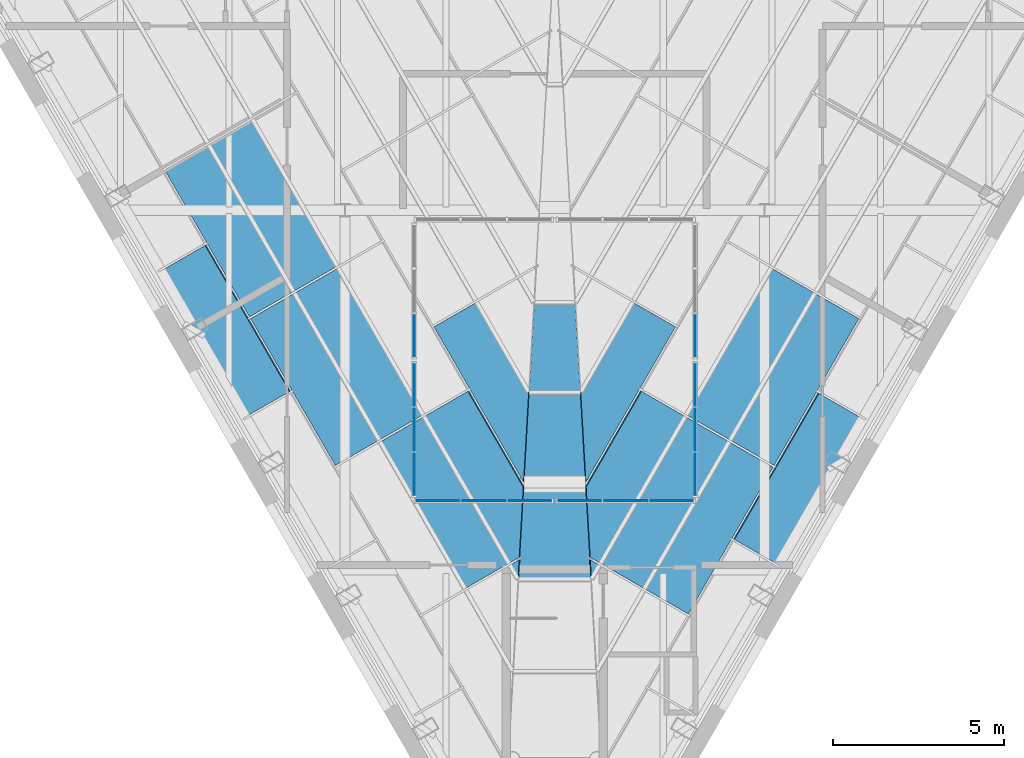
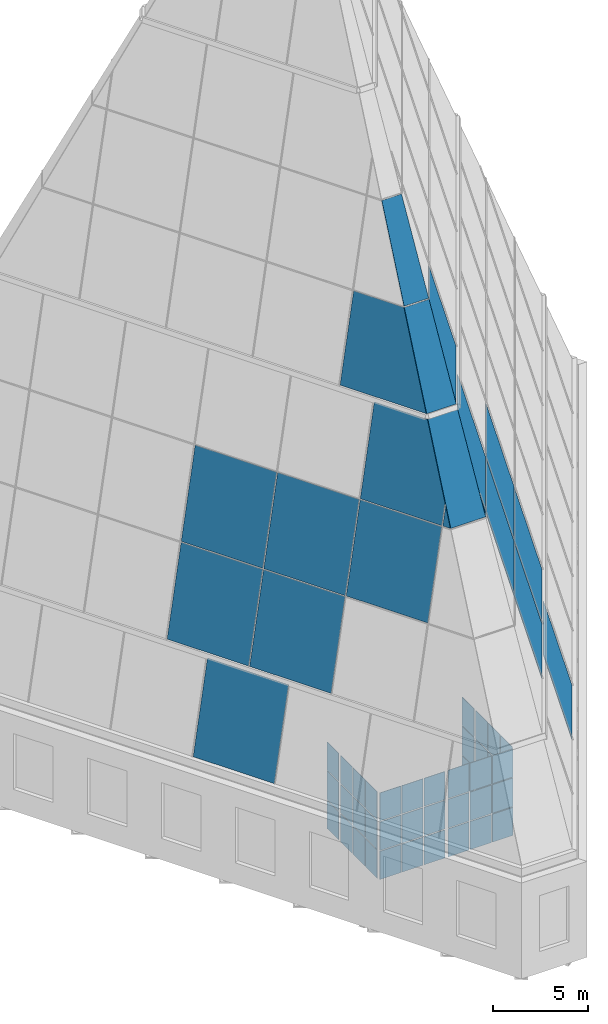
# One storey, part 25 of 36: 62 plates, 14 elements without a shape of their own.
"""IFC4 building model written with IfcOpenShell, lengths in metres."""

import ifcopenshell
import ifcopenshell.guid

model = None  # the IFC model being written
_history = None  # IfcOwnerHistory: only IFC2X3 demands one
_inside = {}  # id of a spatial element -> (the spatial element, [elements in it])
_under = {}  # id of a project, library or spatial element -> (it, [spatial elements below it])
_declared = {}  # id of a project -> (the project, [libraries it declares])
_typed = {}  # id of a type object -> (the type object, [elements of that type])
_made_of = {}  # id of a material, layer set ... -> (it, [elements and type objects made of it])


def new_model(schema):
    """Start an empty IFC model of exactly this schema.

    Asked for "IFC4X3", IfcOpenShell would pick the latest addendum, in which some entities
    have other attributes; the version numbers below select the first issue.
    IFC2X3 requires an IfcOwnerHistory on every rooted entity: one is made here for all.
    """
    global model, _history
    if schema == "IFC4X3":
        model = ifcopenshell.file(schema_version=(4, 3, 0, 0))
    else:
        model = ifcopenshell.file(schema=schema)
    _inside.clear()
    _under.clear()
    _declared.clear()
    _typed.clear()
    _made_of.clear()
    _history = None
    if model.schema == "IFC2X3":
        org = make("IfcOrganization", Name="unknown")
        user = make(
            "IfcPersonAndOrganization",
            ThePerson=make("IfcPerson", FamilyName="unknown"),
            TheOrganization=org,
        )
        app = make(
            "IfcApplication",
            ApplicationDeveloper=org,
            Version="unknown",
            ApplicationFullName="unknown",
            ApplicationIdentifier="unknown",
        )
        _history = make(
            "IfcOwnerHistory",
            OwningUser=user,
            OwningApplication=app,
            ChangeAction="ADDED",
            CreationDate=0,
        )
    return model


def make(cls, **values):
    """One entity of the class cls with the attributes given. An attribute that is None is left unset."""
    return model.create_entity(
        cls, **{name: value for name, value in values.items() if value is not None}
    )


def rooted(cls, **values):
    """An entity with a GlobalId (a new one), such as an element, a storey or a relation."""
    return make(cls, GlobalId=ifcopenshell.guid.new(), OwnerHistory=_history, **values)


def si_unit(unit_type, name, prefix=None):
    """IfcSIUnit, for example si_unit("LENGTHUNIT", "METRE", prefix="MILLI")."""
    return make("IfcSIUnit", UnitType=unit_type, Prefix=prefix, Name=name)


def assignment(units):
    """IfcUnitAssignment: the units of a project."""
    return None if units is None else make("IfcUnitAssignment", Units=units)


def point(xyz):
    """IfcCartesianPoint."""
    return None if xyz is None else make("IfcCartesianPoint", Coordinates=xyz)


def direction(xyz):
    """IfcDirection."""
    return None if xyz is None else make("IfcDirection", DirectionRatios=xyz)


def frame(location, z_axis=None, x_axis=None):
    """IfcAxis2Placement3D, a coordinate frame: its origin and axes. An axis left out is left unset."""
    return make(
        "IfcAxis2Placement3D",
        Location=point(location),
        Axis=direction(z_axis),
        RefDirection=direction(x_axis),
    )


def frame_2d(location, x_axis=None):
    """IfcAxis2Placement2D, a coordinate frame in the plane: its origin and x axis."""
    return make(
        "IfcAxis2Placement2D", Location=point(location), RefDirection=direction(x_axis)
    )


def origin():
    """The frame at (0, 0, 0) with its axes left unset."""
    return frame((0.0, 0.0, 0.0))


def origin_2d():
    """The frame at (0, 0) in the plane with its x axis left unset."""
    return frame_2d((0.0, 0.0))


def place(relative_to, where):
    """IfcLocalPlacement: puts the frame where relative to a parent placement (None: the world)."""
    return make(
        "IfcLocalPlacement", PlacementRelTo=relative_to, RelativePlacement=where
    )


def context(
    kind, dimensions, precision=None, world=None, true_north=None, identifier=None
):
    """IfcGeometricRepresentationContext, for example the 3D "Model" context."""
    return make(
        "IfcGeometricRepresentationContext",
        ContextIdentifier=identifier,
        ContextType=kind,
        CoordinateSpaceDimension=dimensions,
        Precision=precision,
        WorldCoordinateSystem=world,
        TrueNorth=true_north,
    )


def subcontext(parent, identifier, kind, view, scale=None):
    """IfcGeometricRepresentationSubContext, for example "Body" below "Model"."""
    return make(
        "IfcGeometricRepresentationSubContext",
        ContextIdentifier=identifier,
        ContextType=kind,
        ParentContext=parent,
        TargetScale=scale,
        TargetView=view,
    )


def project(units=None, contexts=None):
    """IfcProject with its units and contexts."""
    return rooted(
        "IfcProject",
        Name="project",
        RepresentationContexts=contexts,
        UnitsInContext=assignment(units),
    )


def spatial(cls, under=None, at=None, **own):
    """A site, building, storey or space (cls), placed at a placement, below another one or the project."""
    s = rooted(cls, ObjectPlacement=at, **own)
    if under is not None:
        _under.setdefault(under.id(), (under, []))[1].append(s)
    return s


def polyline(points):
    """IfcPolyline through the points."""
    return make("IfcPolyline", Points=[point(p) for p in points])


def profile(cls, at=None, kind="AREA", **sizes):
    """A parametric profile (cls). Its sizes go by their IFC names, for example OverallWidth=200.0."""
    return make(cls, ProfileType=kind, Position=at, **sizes)


def rectangle(**sizes):
    """IfcRectangleProfileDef."""
    return profile("IfcRectangleProfileDef", **sizes)


def outline(outer, holes=None, kind="AREA"):
    """IfcArbitraryClosedProfileDef: a profile drawn as a closed curve; with holes, ...WithVoids."""
    if holes is None:
        return make("IfcArbitraryClosedProfileDef", ProfileType=kind, OuterCurve=outer)
    return make(
        "IfcArbitraryProfileDefWithVoids",
        ProfileType=kind,
        OuterCurve=outer,
        InnerCurves=holes,
    )


def extrude(swept, where, along, depth):
    """IfcExtrudedAreaSolid: the profile swept, set in the frame where, extruded along a direction by depth."""
    return make(
        "IfcExtrudedAreaSolid",
        SweptArea=swept,
        Position=where,
        ExtrudedDirection=direction(along),
        Depth=depth,
    )


def shape(context_of_items, identifier, shape_type, items):
    """IfcShapeRepresentation: the items that make up one representation, for example the "Body"."""
    return make(
        "IfcShapeRepresentation",
        ContextOfItems=context_of_items,
        RepresentationIdentifier=identifier,
        RepresentationType=shape_type,
        Items=items,
    )


def material(Name=None, Category=None):
    """IfcMaterial."""
    return make("IfcMaterial", Name=Name, Category=Category)


def layer(
    of_material, thickness, ventilated=None, Name=None, Category=None, Priority=None
):
    """IfcMaterialLayer: one layer of a wall or slab, of a material (None: an air gap)."""
    return make(
        "IfcMaterialLayer",
        Material=of_material,
        LayerThickness=thickness,
        IsVentilated=ventilated,
        Name=Name,
        Category=Category,
        Priority=Priority,
    )


def layer_set(layers, Name=None):
    """IfcMaterialLayerSet."""
    return make("IfcMaterialLayerSet", MaterialLayers=layers, LayerSetName=Name)


def made_of(thing, what):
    """Note that an element or type object is made of a material, layer set ...; save() writes the relation."""
    if what is not None:
        _made_of.setdefault(what.id(), (what, []))[1].append(thing)
    return thing


def type_object(cls, material=None, **own):
    """A type object (cls), such as IfcWallType, which elements share."""
    return made_of(rooted(cls, **own), material)


def element(
    cls,
    number,
    at=None,
    inside=None,
    cuts=None,
    type_object=None,
    material=None,
    context=None,
    identifier="Body",
    shape_type=None,
    held_by="IfcProductDefinitionShape",
    body=None,
    shapes=None,
    **own,
):
    """One element of the class cls, such as IfcWall. Its Tag is "e" and its number.

    at: its placement. inside: the storey or other place that contains it. cuts: it is an
    opening in that element (IfcRelVoidsElement). A single representation is given by context,
    identifier, shape_type and body (its items); several are given by shapes. held_by: the class
    of the entity that holds the representations. save() writes the other relations.
    """
    e = rooted(cls, Tag="e%d" % number, ObjectPlacement=at, **own)
    if body is not None:
        shapes = [shape(context, identifier, shape_type, body)]
    if shapes is not None:
        e.Representation = make(held_by, Representations=shapes)
    if inside is not None:
        _inside.setdefault(inside.id(), (inside, []))[1].append(e)
    if cuts is not None:
        rooted(
            "IfcRelVoidsElement", RelatingBuildingElement=cuts, RelatedOpeningElement=e
        )
    if type_object is not None:
        _typed.setdefault(type_object.id(), (type_object, []))[1].append(e)
    return made_of(e, material)


def aggregate(whole, parts):
    """IfcRelAggregates: a whole, such as a stair, and the parts it consists of."""
    return rooted("IfcRelAggregates", RelatingObject=whole, RelatedObjects=parts)


def save(model, path):
    """Write the relations noted so far, then the file.

    IfcRelAggregates (storeys below a building ...), IfcRelContainedInSpatialStructure (elements
    in a storey), IfcRelDefinesByType, IfcRelAssociatesMaterial and IfcRelDeclares: one each for
    every whole, place, type object, material and project.
    """
    for whole, parts in _under.values():
        aggregate(whole, parts)
    for where, things in _inside.values():
        rooted(
            "IfcRelContainedInSpatialStructure",
            RelatedElements=things,
            RelatingStructure=where,
        )
    for kind, things in _typed.values():
        rooted("IfcRelDefinesByType", RelatedObjects=things, RelatingType=kind)
    for what, things in _made_of.values():
        rooted("IfcRelAssociatesMaterial", RelatedObjects=things, RelatingMaterial=what)
    for by, libraries in _declared.values():
        rooted("IfcRelDeclares", RelatingContext=by, RelatedDefinitions=libraries)
    model.write(path)


model = new_model("IFC4")

# Units and contexts
model_context = context("Model", 3, precision=1e-05, world=origin(), true_north=direction((0.0, 1.0)))
body_context = subcontext(model_context, "Body", "Model", "MODEL_VIEW")
ifc_project = project(units=[si_unit("LENGTHUNIT", "METRE"), si_unit("AREAUNIT", "SQUARE_METRE"), si_unit("VOLUMEUNIT", "CUBIC_METRE"), si_unit("PLANEANGLEUNIT", "RADIAN"), si_unit("MASSUNIT", "GRAM", prefix="KILO")], contexts=[model_context])

# Site, building, storey
site_placement = place(None, origin())
site = spatial("IfcSite", under=ifc_project, at=site_placement, CompositionType="ELEMENT")
building_placement = place(site_placement, origin())
building = spatial("IfcBuilding", under=site, at=building_placement, Name="Njiva Tower", CompositionType="ELEMENT")
storey_placement = place(building_placement, frame((0.0, 0.0, 337.8)))
storey = spatial("IfcBuildingStorey", under=building, at=storey_placement, Name="L77", CompositionType="ELEMENT", Elevation=337.8)

# Curtain wall, plate
ifc_material_1 = material(Name="Glazed curtain wall", Category="glass")
ifc_layer_1 = layer(ifc_material_1, 0.16)
ifc_layer_set_1 = layer_set([ifc_layer_1], Name="Glazed curtain wall")
curtain_wall_type_1 = type_object("IfcCurtainWallType", Name="CW2 Crown glazing, faceted point, long faces", PredefinedType="NOTDEFINED", material=ifc_layer_set_1)
curtain_wall_1_placement = place(storey_placement, origin())
curtain_wall_1 = element("IfcCurtainWall", 1, at=curtain_wall_1_placement, inside=storey, type_object=curtain_wall_type_1, Name="Crown glazing face SW tier 1", PredefinedType="NOTDEFINED")
ifc_material_2 = material(Name="Clear laminated glass", Category="glass")
ifc_layer_2 = layer(ifc_material_2, 0.032)
ifc_layer_set_2 = layer_set([ifc_layer_2], Name="Clear laminated glass")
plate_type_1 = type_object("IfcPlateType", Name="CW2-P Crown glass panel 32", PredefinedType="CURTAIN_PANEL", material=ifc_layer_set_2)
plate_1_placement = place(storey_placement, frame((-9.0792, -9.2706, 6.5043), z_axis=(-0.83472112985, -0.481929472764, 0.266429387761), x_axis=(0.230736106256, 0.133212116361, 0.963854439905)))
plate_1 = element("IfcPlate", 2, at=plate_1_placement, type_object=plate_type_1, Name="CW2-31 panel 6.1", PredefinedType="CURTAIN_PANEL", context=body_context, shape_type="SweptSolid", body=[
    extrude(outline(polyline([(0.0, 0.0), (5.659994801963874, -5.1953612852789766e-17), (5.6599649789226865, 4.948501867976681), (-6.749430562447145e-06, 4.948451867828215), (0.0, 0.0)])), origin(), (0.0, 0.0, -1.0), 0.032),
])
aggregate(curtain_wall_1, [plate_1])

# Curtain wall, plates
curtain_wall_2_placement = place(storey_placement, origin())
curtain_wall_2 = element("IfcCurtainWall", 3, at=curtain_wall_2_placement, inside=storey, type_object=curtain_wall_type_1, Name="Crown glazing face SW tier 2", PredefinedType="NOTDEFINED")
plate_2_placement = place(storey_placement, frame((-8.9456, -6.3262, 12.2488), z_axis=(-0.834718497556, -0.481930530985, 0.266435720471), x_axis=(0.230736804169, 0.133223572879, 0.963852689383)))
plate_2 = element("IfcPlate", 4, at=plate_2_placement, type_object=plate_type_1, Name="CW2-32 panel 5.1", PredefinedType="CURTAIN_PANEL", context=body_context, shape_type="SweptSolid", body=[
    extrude(outline(polyline([(0.0, 0.0), (5.541724870418865, -1.3629437747679496e-16), (5.5417443500182975, 4.969513530421253), (3.2801956720174275e-05, 4.969600132640793), (0.0, 0.0)])), origin(), (0.0, 0.0, -1.0), 0.032),
])
plate_3_placement = place(storey_placement, frame((-7.6531, -5.5799, 17.648), z_axis=(-0.834722496075, -0.481928740879, 0.266426431235), x_axis=(0.230733341185, 0.133210992542, 0.963855257148)))
plate_3 = element("IfcPlate", 5, at=plate_3_placement, type_object=plate_type_1, Name="CW2-32 panel 5.2", PredefinedType="CURTAIN_PANEL", context=body_context, shape_type="SweptSolid", body=[
    extrude(outline(polyline([(0.0, 0.0), (5.511708154307347, 1.3097162243624894e-16), (5.511705170067682, 4.969463530226295), (-2.6057573783266896e-05, 4.969513530274277), (0.0, 0.0)])), origin(), (0.0, 0.0, -1.0), 0.032),
])
plate_4_placement = place(storey_placement, frame((-6.4308, -10.6818, 12.2488), z_axis=(-0.83472301334, -0.481929039523, 0.266424270413), x_axis=(0.230730190592, 0.133212127882, 0.963855854438)))
plate_4 = element("IfcPlate", 6, at=plate_4_placement, type_object=plate_type_1, Name="CW2-32 panel 6.1", PredefinedType="CURTAIN_PANEL", context=body_context, shape_type="SweptSolid", body=[
    extrude(outline(polyline([(0.0, 0.0), (5.541688475388861, -9.940228097560753e-17), (5.541698205589711, 4.9694635302176655), (-1.334281820952743e-05, 4.969513530324681), (0.0, 0.0)])), origin(), (0.0, 0.0, -1.0), 0.032),
])
plate_5_placement = place(storey_placement, frame((-5.1383, -9.9356, 17.648), z_axis=(-0.834720043956, -0.481937022846, 0.266419132625), x_axis=(0.230727020437, 0.133207343245, 0.963857274572)))
plate_5 = element("IfcPlate", 7, at=plate_5_placement, type_object=plate_type_1, Name="CW2-32 panel 6.2", PredefinedType="CURTAIN_PANEL", context=body_context, shape_type="SweptSolid", body=[
    extrude(outline(polyline([(0.0, 0.0), (5.511708154465365, 6.852157730108388e-17), (5.51168209720762, 4.969513530449536), (-2.605725774440515e-05, 4.969513530449538), (0.0, 0.0)])), origin(), (0.0, 0.0, -1.0), 0.032),
])
plate_6_placement = place(storey_placement, frame((-2.6236, -14.2913, 17.648), z_axis=(-0.834729858119, -0.481917694678, 0.266423346426), x_axis=(0.230730669681, 0.133209450077, 0.963856109841)))
plate_6 = element("IfcPlate", 8, at=plate_6_placement, type_object=plate_type_1, Name="CW2-32 panel 7.2", PredefinedType="CURTAIN_PANEL", context=body_context, shape_type="SweptSolid", body=[
    extrude(outline(polyline([(0.0, 0.0), (5.511708154412695, 1.214306433183765e-17), (5.5117184906966585, 4.969550133494233), (-2.984661043980985e-06, 4.969463530343137), (0.0, 0.0)])), origin(), (0.0, 0.0, -1.0), 0.032),
])
plate_7_placement = place(storey_placement, frame((-2.5441, -8.5071, 28.3597), z_axis=(-0.834717621025, -0.481932371508, 0.266435137403), x_axis=(-0.230736299215, -0.133223281328, -0.963852850562)))
plate_7 = element("IfcPlate", 9, at=plate_7_placement, type_object=plate_type_1, Name="CW2-32 panel 7.3", PredefinedType="CURTAIN_PANEL", context=body_context, shape_type="SweptSolid", body=[
    extrude(outline(polyline([(0.0, 0.0), (5.541724870403274, -1.269871794523647e-16), (5.541744349967262, 4.96951353045996), (4.254612029945289, 4.969498664307257), (2.7465958485073383e-05, 3.242039525867482), (0.0, 0.0)])), origin(), (0.0, 0.0, -1.0), 0.032),
])
plate_8_placement = place(storey_placement, frame((-1.0451, -13.4493, 24.1165), z_axis=(-0.834769609638, -0.481862267805, 0.266399049718), x_axis=(-0.230740790914, -0.133143316781, -0.963862824579)))
plate_8 = element("IfcPlate", 10, at=plate_8_placement, type_object=plate_type_1, Name="CW2-32 panel 8.3", PredefinedType="CURTAIN_PANEL", context=body_context, shape_type="SweptSolid", body=[
    extrude(outline(polyline([(0.0, 0.0), (1.1393737490393219, -5.502326025363935e-18), (1.1393539311349525, 0.4626663804592351), (0.0, 0.0)])), origin(), (0.0, 0.0, -1.0), 0.032),
])
aggregate(curtain_wall_2, [plate_2, plate_3, plate_4, plate_5, plate_6, plate_7, plate_8])

# Curtain wall, plate
curtain_wall_3_placement = place(storey_placement, origin())
curtain_wall_3 = element("IfcCurtainWall", 11, at=curtain_wall_3_placement, inside=storey, type_object=curtain_wall_type_1, Name="Crown glazing face SW tier 3", PredefinedType="NOTDEFINED")
plate_9_placement = place(storey_placement, frame((-0.7651, -8.5494, 33.8569), z_axis=(-0.834718757124, -0.481932836688, 0.266430736642), x_axis=(-0.500005506255, 0.866022224721, 2.149373e-06)))
plate_9 = element("IfcPlate", 12, at=plate_9_placement, type_object=plate_type_1, Name="CW2-33 panel 5.1", PredefinedType="CURTAIN_PANEL", context=body_context, shape_type="SweptSolid", body=[
    extrude(outline(polyline([(0.0, 0.0), (3.059607512311141, 0.0), (3.059640386007793, 5.403418167078141), (-2.1940519964073673, 5.403399628608977), (0.0, 0.0)])), origin(), (0.0, 0.0, -1.0), 0.032),
])
aggregate(curtain_wall_3, [plate_9])

curtain_wall_4_placement = place(storey_placement, origin())
curtain_wall_4 = element("IfcCurtainWall", 13, at=curtain_wall_4_placement, inside=storey, type_object=curtain_wall_type_1, Name="Crown glazing face SE tier 1", PredefinedType="NOTDEFINED")
plate_10_placement = place(storey_placement, frame((9.0492, -9.3226, 6.5043), z_axis=(0.83472112985, -0.481929472764, 0.266429387761), x_axis=(-0.230736106256, 0.133212116361, 0.963854439905)))
plate_10 = element("IfcPlate", 14, at=plate_10_placement, type_object=plate_type_1, Name="CW2-51 panel 3.1", PredefinedType="CURTAIN_PANEL", context=body_context, shape_type="SweptSolid", body=[
    extrude(outline(polyline([(0.0, 0.0), (5.659994801963874, -5.5030036517217384e-17), (5.660001551394437, 4.948451867828216), (2.982304118859247e-05, 4.948501867976681), (0.0, 0.0)])), origin(), (0.0, 0.0, -1.0), 0.032),
])
aggregate(curtain_wall_4, [plate_10])

# Curtain wall, plates
curtain_wall_5_placement = place(storey_placement, origin())
curtain_wall_5 = element("IfcCurtainWall", 15, at=curtain_wall_5_placement, inside=storey, type_object=curtain_wall_type_1, Name="Crown glazing face SE tier 2", PredefinedType="NOTDEFINED")
plate_11_placement = place(storey_placement, frame((1.0767, -14.0017, 23.0183), z_axis=(0.834769609638, -0.481862267805, 0.266399049718), x_axis=(0.499928262689, 0.866066817379, 0.0)))
plate_11 = element("IfcPlate", 16, at=plate_11_placement, type_object=plate_type_1, Name="CW2-52 panel 1.3", PredefinedType="CURTAIN_PANEL", context=body_context, shape_type="SweptSolid", body=[
    extrude(outline(polyline([(0.0, 0.0), (0.46266638088367634, 1.3877787807814457e-17), (0.46261757681894955, 1.1393737479940824), (0.0, 0.0)])), origin(), (0.0, 0.0, -1.0), 0.032),
])
plate_12_placement = place(storey_placement, frame((6.4008, -10.7338, 12.2488), z_axis=(0.83472301334, -0.481929039523, 0.266424270413), x_axis=(-0.230730190592, 0.133212127882, 0.963855854438)))
plate_12 = element("IfcPlate", 17, at=plate_12_placement, type_object=plate_type_1, Name="CW2-52 panel 2.1", PredefinedType="CURTAIN_PANEL", context=body_context, shape_type="SweptSolid", body=[
    extrude(outline(polyline([(0.0, 0.0), (5.5416884753888604, 6.217094777904476e-17), (5.541701818207071, 4.969513530324681), (-9.730200849267234e-06, 4.969463530217665), (0.0, 0.0)])), origin(), (0.0, 0.0, -1.0), 0.032),
])
plate_13_placement = place(storey_placement, frame((5.1083, -9.9876, 17.648), z_axis=(0.834729858119, -0.481917694678, 0.266423346426), x_axis=(-0.230722813548, 0.133223057616, 0.963856109711)))
plate_13 = element("IfcPlate", 18, at=plate_13_placement, type_object=plate_type_1, Name="CW2-52 panel 2.2", PredefinedType="CURTAIN_PANEL", context=body_context, shape_type="SweptSolid", body=[
    extrude(outline(polyline([(0.0, 0.0), (5.51172147603808, -1.3097162243624894e-16), (5.511633055492609, 4.969550132718374), (-7.509823970874852e-05, 4.9694635297765934), (0.0, 0.0)])), origin(), (0.0, 0.0, -1.0), 0.032),
])
plate_14_placement = place(storey_placement, frame((1.041, -13.3776, 24.2589), z_axis=(0.834717621025, -0.481932371508, 0.266435137403), x_axis=(0.230730524203, -0.133233283713, -0.963852850446)))
plate_14 = element("IfcPlate", 19, at=plate_14_placement, type_object=plate_type_1, Name="CW2-52 panel 2.3", PredefinedType="CURTAIN_PANEL", context=body_context, shape_type="SweptSolid", body=[
    extrude(outline(polyline([(0.0, 0.0), (1.2871323201078242, 2.5522796766666578e-17), (1.2870554435335617, 4.969513529903511), (-4.254669426500083, 4.96944952395255), (-4.254604515553305, 1.7274099986185365), (0.0, 0.0)])), origin(), (0.0, 0.0, -1.0), 0.032),
])
plate_15_placement = place(storey_placement, frame((8.9156, -6.3781, 12.2488), z_axis=(0.83472301334, -0.481929039523, 0.266424270413), x_axis=(-0.230734701843, 0.133204314165, 0.963855854396)))
plate_15 = element("IfcPlate", 20, at=plate_15_placement, type_object=plate_type_1, Name="CW2-52 panel 3.1", PredefinedType="CURTAIN_PANEL", context=body_context, shape_type="SweptSolid", body=[
    extrude(outline(polyline([(0.0, 0.0), (5.541711548633483, -7.041215483935548e-17), (5.5417466554304, 4.969463530103185), (5.8180267100249594e-05, 4.969513530002022), (0.0, 0.0)])), origin(), (0.0, 0.0, -1.0), 0.032),
])
plate_16_placement = place(storey_placement, frame((7.6231, -5.6319, 17.648), z_axis=(0.834720043956, -0.481937022846, 0.266419132625), x_axis=(-0.230727020437, 0.133207343245, 0.963857274572)))
plate_16 = element("IfcPlate", 21, at=plate_16_placement, type_object=plate_type_1, Name="CW2-52 panel 3.2", PredefinedType="CURTAIN_PANEL", context=body_context, shape_type="SweptSolid", body=[
    extrude(outline(polyline([(0.0, 0.0), (5.511708154465365, -4.85722573273506e-17), (5.511734211723112, 4.969513530449536), (2.605725774584844e-05, 4.969513530449537), (0.0, 0.0)])), origin(), (0.0, 0.0, -1.0), 0.032),
])
aggregate(curtain_wall_5, [plate_11, plate_12, plate_13, plate_14, plate_15, plate_16])

# Curtain wall, plate
curtain_wall_6_placement = place(storey_placement, origin())
curtain_wall_6 = element("IfcCurtainWall", 22, at=curtain_wall_6_placement, inside=storey, type_object=curtain_wall_type_1, Name="Crown glazing face SE tier 3", PredefinedType="NOTDEFINED")
plate_17_placement = place(storey_placement, frame((3.5417, -6.6195, 28.6488), z_axis=(0.834718757124, -0.481932836688, 0.266430736642), x_axis=(-0.230739017098, 0.133209772465, 0.963854067019)))
plate_17 = element("IfcPlate", 23, at=plate_17_placement, type_object=plate_type_1, Name="CW2-53 panel 1.1", PredefinedType="CURTAIN_PANEL", context=body_context, shape_type="SweptSolid", body=[
    extrude(outline(polyline([(0.0, 0.0), (5.403418167178141, 4.737285867403851e-17), (5.403436781434178, 3.0596075122545168), (5.050125352501489e-05, 5.253692382205146), (0.0, 0.0)])), origin(), (0.0, 0.0, -1.0), 0.032),
])
aggregate(curtain_wall_6, [plate_17])

ifc_layer_3 = layer(ifc_material_1, 0.16)
ifc_layer_set_3 = layer_set([ifc_layer_3], Name="Glazed curtain wall")
curtain_wall_type_2 = type_object("IfcCurtainWallType", Name="CW3 Crown glazing, faceted point, corner faces", PredefinedType="NOTDEFINED", material=ifc_layer_set_3)
curtain_wall_7_placement = place(storey_placement, origin())
curtain_wall_7 = element("IfcCurtainWall", 24, at=curtain_wall_7_placement, inside=storey, type_object=curtain_wall_type_2, Name="Crown glazing face S tier 2", PredefinedType="NOTDEFINED")
ifc_layer_4 = layer(ifc_material_2, 0.032)
ifc_layer_set_4 = layer_set([ifc_layer_4], Name="Clear laminated glass")
plate_type_2 = type_object("IfcPlateType", Name="CW3-P Crown corner glass panel 32", PredefinedType="CURTAIN_PANEL", material=ifc_layer_set_4)
plate_18_placement = place(storey_placement, frame((-1.0633, -14.0254, 23.0316), z_axis=(0.0, -0.893342664961, 0.449376104127), x_axis=(1.0, 0.0, 0.0)))
plate_18 = element("IfcPlate", 25, at=plate_18_placement, type_object=plate_type_2, Name="CW3-42 panel 1.3", PredefinedType="CURTAIN_PANEL", context=body_context, shape_type="SweptSolid", body=[
    extrude(outline(polyline([(0.0, 0.0), (2.1266, 0.0), (1.9727999999999999, 5.98941504739824), (0.15379999999999994, 5.98941504739824), (0.0, 0.0)])), origin(), (0.0, 0.0, -1.0), 0.032),
])
aggregate(curtain_wall_7, [plate_18])

# Curtain wall, plates
curtain_wall_8_placement = place(storey_placement, origin())
curtain_wall_8 = element("IfcCurtainWall", 26, at=curtain_wall_8_placement, inside=storey, type_object=curtain_wall_type_2, Name="Crown glazing face S tier 3", PredefinedType="NOTDEFINED")
plate_19_placement = place(storey_placement, frame((0.7518, -8.5746, 33.8674), z_axis=(0.0, -0.893335523185, 0.449390301426), x_axis=(-1.0, 0.0, 0.0)))
plate_19 = element("IfcPlate", 27, at=plate_19_placement, type_object=plate_type_2, Name="CW3-43 panel 1.1", PredefinedType="CURTAIN_PANEL", context=body_context, shape_type="SweptSolid", body=[
    extrude(outline(polyline([(0.0, 0.0), (1.5036, 0.0), (1.6536, 5.840134937653403), (-0.15000000000000002, 5.840134937653403), (0.0, 0.0)])), origin(), (0.0, 0.0, -1.0), 0.032),
])
plate_20_placement = place(storey_placement, frame((0.601, -5.9366, 39.1114), z_axis=(0.0, -0.893336789296, 0.449387784535), x_axis=(-1.0, 0.0, 0.0)))
plate_20 = element("IfcPlate", 28, at=plate_20_placement, type_object=plate_type_2, Name="CW3-43 panel 1.2", PredefinedType="CURTAIN_PANEL", context=body_context, shape_type="SweptSolid", body=[
    extrude(outline(polyline([(0.0, 0.0), (1.202, 0.0), (1.3512, 5.810126776585869), (-0.1492, 5.810126776585869), (0.0, 0.0)])), origin(), (0.0, 0.0, -1.0), 0.032),
])
aggregate(curtain_wall_8, [plate_19, plate_20])

ifc_layer_5 = layer(ifc_material_1, 0.2)
ifc_layer_set_5 = layer_set([ifc_layer_5], Name="Glazed curtain wall")
curtain_wall_type_3 = type_object("IfcCurtainWallType", Name="CW5 Atrium lantern glazing", PredefinedType="NOTDEFINED", material=ifc_layer_set_5)
curtain_wall_9_placement = place(storey_placement, origin())
curtain_wall_9 = element("IfcCurtainWall", 29, at=curtain_wall_9_placement, inside=storey, type_object=curtain_wall_type_3, Name="Atrium lantern south 1", PredefinedType="NOTDEFINED")
ifc_layer_6 = layer(ifc_material_2, 0.028)
ifc_layer_set_6 = layer_set([ifc_layer_6], Name="Clear laminated glass")
plate_type_3 = type_object("IfcPlateType", Name="CW5-P Lantern glass panel 28", PredefinedType="CURTAIN_PANEL", material=ifc_layer_set_6)
plate_21_placement = place(storey_placement, frame((-3.425, -11.72, 0.06), z_axis=(0.0, 0.0, 1.0), x_axis=(1.0, 0.0, 0.0)))
plate_21 = element("IfcPlate", 30, at=plate_21_placement, type_object=plate_type_3, Name="CW5-1 panel 1.1", PredefinedType="CURTAIN_PANEL", context=body_context, shape_type="SweptSolid", body=[
    extrude(rectangle(XDim=1.27, YDim=0.028, at=origin_2d()), origin(), (0.0, 0.0, 1.0), 1.81),
])
plate_22_placement = place(storey_placement, frame((-3.425, -11.72, 1.93), z_axis=(0.0, 0.0, 1.0), x_axis=(1.0, 0.0, 0.0)))
plate_22 = element("IfcPlate", 31, at=plate_22_placement, type_object=plate_type_3, Name="CW5-1 panel 1.2", PredefinedType="CURTAIN_PANEL", context=body_context, shape_type="SweptSolid", body=[
    extrude(rectangle(XDim=1.27, YDim=0.028, at=origin_2d()), origin(), (0.0, 0.0, 1.0), 1.84),
])
plate_23_placement = place(storey_placement, frame((-3.425, -11.72, 3.83), z_axis=(0.0, 0.0, 1.0), x_axis=(1.0, 0.0, 0.0)))
plate_23 = element("IfcPlate", 32, at=plate_23_placement, type_object=plate_type_3, Name="CW5-1 panel 1.3", PredefinedType="CURTAIN_PANEL", context=body_context, shape_type="SweptSolid", body=[
    extrude(rectangle(XDim=1.27, YDim=0.028, at=origin_2d()), origin(), (0.0, 0.0, 1.0), 1.81),
])
plate_24_placement = place(storey_placement, frame((-2.08, -11.72, 0.06), z_axis=(0.0, 0.0, 1.0), x_axis=(1.0, 0.0, 0.0)))
plate_24 = element("IfcPlate", 33, at=plate_24_placement, type_object=plate_type_3, Name="CW5-1 panel 2.1", PredefinedType="CURTAIN_PANEL", context=body_context, shape_type="SweptSolid", body=[
    extrude(rectangle(XDim=1.3, YDim=0.028, at=origin_2d()), origin(), (0.0, 0.0, 1.0), 1.81),
])
plate_25_placement = place(storey_placement, frame((-2.08, -11.72, 1.93), z_axis=(0.0, 0.0, 1.0), x_axis=(1.0, 0.0, 0.0)))
plate_25 = element("IfcPlate", 34, at=plate_25_placement, type_object=plate_type_3, Name="CW5-1 panel 2.2", PredefinedType="CURTAIN_PANEL", context=body_context, shape_type="SweptSolid", body=[
    extrude(rectangle(XDim=1.3, YDim=0.028, at=origin_2d()), origin(), (0.0, 0.0, 1.0), 1.84),
])
plate_26_placement = place(storey_placement, frame((-2.08, -11.72, 3.83), z_axis=(0.0, 0.0, 1.0), x_axis=(1.0, 0.0, 0.0)))
plate_26 = element("IfcPlate", 35, at=plate_26_placement, type_object=plate_type_3, Name="CW5-1 panel 2.3", PredefinedType="CURTAIN_PANEL", context=body_context, shape_type="SweptSolid", body=[
    extrude(rectangle(XDim=1.3, YDim=0.028, at=origin_2d()), origin(), (0.0, 0.0, 1.0), 1.81),
])
plate_27_placement = place(storey_placement, frame((-0.735, -11.72, 0.06), z_axis=(0.0, 0.0, 1.0), x_axis=(1.0, 0.0, 0.0)))
plate_27 = element("IfcPlate", 36, at=plate_27_placement, type_object=plate_type_3, Name="CW5-1 panel 3.1", PredefinedType="CURTAIN_PANEL", context=body_context, shape_type="SweptSolid", body=[
    extrude(rectangle(XDim=1.27, YDim=0.028, at=origin_2d()), origin(), (0.0, 0.0, 1.0), 1.81),
])
plate_28_placement = place(storey_placement, frame((-0.735, -11.72, 1.93), z_axis=(0.0, 0.0, 1.0), x_axis=(1.0, 0.0, 0.0)))
plate_28 = element("IfcPlate", 37, at=plate_28_placement, type_object=plate_type_3, Name="CW5-1 panel 3.2", PredefinedType="CURTAIN_PANEL", context=body_context, shape_type="SweptSolid", body=[
    extrude(rectangle(XDim=1.27, YDim=0.028, at=origin_2d()), origin(), (0.0, 0.0, 1.0), 1.84),
])
plate_29_placement = place(storey_placement, frame((-0.735, -11.72, 3.83), z_axis=(0.0, 0.0, 1.0), x_axis=(1.0, 0.0, 0.0)))
plate_29 = element("IfcPlate", 38, at=plate_29_placement, type_object=plate_type_3, Name="CW5-1 panel 3.3", PredefinedType="CURTAIN_PANEL", context=body_context, shape_type="SweptSolid", body=[
    extrude(rectangle(XDim=1.27, YDim=0.028, at=origin_2d()), origin(), (0.0, 0.0, 1.0), 1.81),
])
aggregate(curtain_wall_9, [plate_21, plate_22, plate_23, plate_24, plate_25, plate_26, plate_27, plate_28, plate_29])

curtain_wall_10_placement = place(storey_placement, origin())
curtain_wall_10 = element("IfcCurtainWall", 39, at=curtain_wall_10_placement, inside=storey, type_object=curtain_wall_type_3, Name="Atrium lantern south 2", PredefinedType="NOTDEFINED")
plate_30_placement = place(storey_placement, frame((0.735, -11.72, 0.06), z_axis=(0.0, 0.0, 1.0), x_axis=(1.0, 0.0, 0.0)))
plate_30 = element("IfcPlate", 40, at=plate_30_placement, type_object=plate_type_3, Name="CW5-2 panel 1.1", PredefinedType="CURTAIN_PANEL", context=body_context, shape_type="SweptSolid", body=[
    extrude(rectangle(XDim=1.27, YDim=0.028, at=origin_2d()), origin(), (0.0, 0.0, 1.0), 1.81),
])
plate_31_placement = place(storey_placement, frame((0.735, -11.72, 1.93), z_axis=(0.0, 0.0, 1.0), x_axis=(1.0, 0.0, 0.0)))
plate_31 = element("IfcPlate", 41, at=plate_31_placement, type_object=plate_type_3, Name="CW5-2 panel 1.2", PredefinedType="CURTAIN_PANEL", context=body_context, shape_type="SweptSolid", body=[
    extrude(rectangle(XDim=1.27, YDim=0.028, at=origin_2d()), origin(), (0.0, 0.0, 1.0), 1.84),
])
plate_32_placement = place(storey_placement, frame((0.735, -11.72, 3.83), z_axis=(0.0, 0.0, 1.0), x_axis=(1.0, 0.0, 0.0)))
plate_32 = element("IfcPlate", 42, at=plate_32_placement, type_object=plate_type_3, Name="CW5-2 panel 1.3", PredefinedType="CURTAIN_PANEL", context=body_context, shape_type="SweptSolid", body=[
    extrude(rectangle(XDim=1.27, YDim=0.028, at=origin_2d()), origin(), (0.0, 0.0, 1.0), 1.81),
])
plate_33_placement = place(storey_placement, frame((2.08, -11.72, 0.06), z_axis=(0.0, 0.0, 1.0), x_axis=(1.0, 0.0, 0.0)))
plate_33 = element("IfcPlate", 43, at=plate_33_placement, type_object=plate_type_3, Name="CW5-2 panel 2.1", PredefinedType="CURTAIN_PANEL", context=body_context, shape_type="SweptSolid", body=[
    extrude(rectangle(XDim=1.3, YDim=0.028, at=origin_2d()), origin(), (0.0, 0.0, 1.0), 1.81),
])
plate_34_placement = place(storey_placement, frame((2.08, -11.72, 1.93), z_axis=(0.0, 0.0, 1.0), x_axis=(1.0, 0.0, 0.0)))
plate_34 = element("IfcPlate", 44, at=plate_34_placement, type_object=plate_type_3, Name="CW5-2 panel 2.2", PredefinedType="CURTAIN_PANEL", context=body_context, shape_type="SweptSolid", body=[
    extrude(rectangle(XDim=1.3, YDim=0.028, at=origin_2d()), origin(), (0.0, 0.0, 1.0), 1.84),
])
plate_35_placement = place(storey_placement, frame((2.08, -11.72, 3.83), z_axis=(0.0, 0.0, 1.0), x_axis=(1.0, 0.0, 0.0)))
plate_35 = element("IfcPlate", 45, at=plate_35_placement, type_object=plate_type_3, Name="CW5-2 panel 2.3", PredefinedType="CURTAIN_PANEL", context=body_context, shape_type="SweptSolid", body=[
    extrude(rectangle(XDim=1.3, YDim=0.028, at=origin_2d()), origin(), (0.0, 0.0, 1.0), 1.81),
])
plate_36_placement = place(storey_placement, frame((3.425, -11.72, 0.06), z_axis=(0.0, 0.0, 1.0), x_axis=(1.0, 0.0, 0.0)))
plate_36 = element("IfcPlate", 46, at=plate_36_placement, type_object=plate_type_3, Name="CW5-2 panel 3.1", PredefinedType="CURTAIN_PANEL", context=body_context, shape_type="SweptSolid", body=[
    extrude(rectangle(XDim=1.27, YDim=0.028, at=origin_2d()), origin(), (0.0, 0.0, 1.0), 1.81),
])
plate_37_placement = place(storey_placement, frame((3.425, -11.72, 1.93), z_axis=(0.0, 0.0, 1.0), x_axis=(1.0, 0.0, 0.0)))
plate_37 = element("IfcPlate", 47, at=plate_37_placement, type_object=plate_type_3, Name="CW5-2 panel 3.2", PredefinedType="CURTAIN_PANEL", context=body_context, shape_type="SweptSolid", body=[
    extrude(rectangle(XDim=1.27, YDim=0.028, at=origin_2d()), origin(), (0.0, 0.0, 1.0), 1.84),
])
plate_38_placement = place(storey_placement, frame((3.425, -11.72, 3.83), z_axis=(0.0, 0.0, 1.0), x_axis=(1.0, 0.0, 0.0)))
plate_38 = element("IfcPlate", 48, at=plate_38_placement, type_object=plate_type_3, Name="CW5-2 panel 3.3", PredefinedType="CURTAIN_PANEL", context=body_context, shape_type="SweptSolid", body=[
    extrude(rectangle(XDim=1.27, YDim=0.028, at=origin_2d()), origin(), (0.0, 0.0, 1.0), 1.81),
])
aggregate(curtain_wall_10, [plate_30, plate_31, plate_32, plate_33, plate_34, plate_35, plate_36, plate_37, plate_38])

curtain_wall_11_placement = place(storey_placement, origin())
curtain_wall_11 = element("IfcCurtainWall", 49, at=curtain_wall_11_placement, inside=storey, type_object=curtain_wall_type_3, Name="Atrium lantern west 1", PredefinedType="NOTDEFINED")
plate_39_placement = place(storey_placement, frame((-4.12, -10.9417, 0.06), z_axis=(0.0, 0.0, 1.0), x_axis=(0.0, 1.0, 0.0)))
plate_39 = element("IfcPlate", 50, at=plate_39_placement, type_object=plate_type_3, Name="CW5-5 panel 1.1", PredefinedType="CURTAIN_PANEL", context=body_context, shape_type="SweptSolid", body=[
    extrude(rectangle(XDim=1.2367, YDim=0.028, at=origin_2d()), origin(), (0.0, 0.0, 1.0), 1.81),
])
plate_40_placement = place(storey_placement, frame((-4.12, -10.9417, 1.93), z_axis=(0.0, 0.0, 1.0), x_axis=(0.0, 1.0, 0.0)))
plate_40 = element("IfcPlate", 51, at=plate_40_placement, type_object=plate_type_3, Name="CW5-5 panel 1.2", PredefinedType="CURTAIN_PANEL", context=body_context, shape_type="SweptSolid", body=[
    extrude(rectangle(XDim=1.2367, YDim=0.028, at=origin_2d()), origin(), (0.0, 0.0, 1.0), 1.84),
])
plate_41_placement = place(storey_placement, frame((-4.12, -10.9417, 3.83), z_axis=(0.0, 0.0, 1.0), x_axis=(0.0, 1.0, 0.0)))
plate_41 = element("IfcPlate", 52, at=plate_41_placement, type_object=plate_type_3, Name="CW5-5 panel 1.3", PredefinedType="CURTAIN_PANEL", context=body_context, shape_type="SweptSolid", body=[
    extrude(rectangle(XDim=1.2367, YDim=0.028, at=origin_2d()), origin(), (0.0, 0.0, 1.0), 1.81),
])
plate_42_placement = place(storey_placement, frame((-4.12, -9.63, 0.06), z_axis=(0.0, 0.0, 1.0), x_axis=(0.0, 1.0, 0.0)))
plate_42 = element("IfcPlate", 53, at=plate_42_placement, type_object=plate_type_3, Name="CW5-5 panel 2.1", PredefinedType="CURTAIN_PANEL", context=body_context, shape_type="SweptSolid", body=[
    extrude(rectangle(XDim=1.2667, YDim=0.028, at=origin_2d()), origin(), (0.0, 0.0, 1.0), 1.81),
])
plate_43_placement = place(storey_placement, frame((-4.12, -9.63, 1.93), z_axis=(0.0, 0.0, 1.0), x_axis=(0.0, 1.0, 0.0)))
plate_43 = element("IfcPlate", 54, at=plate_43_placement, type_object=plate_type_3, Name="CW5-5 panel 2.2", PredefinedType="CURTAIN_PANEL", context=body_context, shape_type="SweptSolid", body=[
    extrude(rectangle(XDim=1.2667, YDim=0.028, at=origin_2d()), origin(), (0.0, 0.0, 1.0), 1.84),
])
plate_44_placement = place(storey_placement, frame((-4.12, -9.63, 3.83), z_axis=(0.0, 0.0, 1.0), x_axis=(0.0, 1.0, 0.0)))
plate_44 = element("IfcPlate", 55, at=plate_44_placement, type_object=plate_type_3, Name="CW5-5 panel 2.3", PredefinedType="CURTAIN_PANEL", context=body_context, shape_type="SweptSolid", body=[
    extrude(rectangle(XDim=1.2667, YDim=0.028, at=origin_2d()), origin(), (0.0, 0.0, 1.0), 1.81),
])
plate_45_placement = place(storey_placement, frame((-4.12, -8.3183, 0.06), z_axis=(0.0, 0.0, 1.0), x_axis=(0.0, 1.0, 0.0)))
plate_45 = element("IfcPlate", 56, at=plate_45_placement, type_object=plate_type_3, Name="CW5-5 panel 3.1", PredefinedType="CURTAIN_PANEL", context=body_context, shape_type="SweptSolid", body=[
    extrude(rectangle(XDim=1.2367, YDim=0.028, at=origin_2d()), origin(), (0.0, 0.0, 1.0), 1.81),
])
plate_46_placement = place(storey_placement, frame((-4.12, -8.3183, 1.93), z_axis=(0.0, 0.0, 1.0), x_axis=(0.0, 1.0, 0.0)))
plate_46 = element("IfcPlate", 57, at=plate_46_placement, type_object=plate_type_3, Name="CW5-5 panel 3.2", PredefinedType="CURTAIN_PANEL", context=body_context, shape_type="SweptSolid", body=[
    extrude(rectangle(XDim=1.2367, YDim=0.028, at=origin_2d()), origin(), (0.0, 0.0, 1.0), 1.84),
])
plate_47_placement = place(storey_placement, frame((-4.12, -8.3183, 3.83), z_axis=(0.0, 0.0, 1.0), x_axis=(0.0, 1.0, 0.0)))
plate_47 = element("IfcPlate", 58, at=plate_47_placement, type_object=plate_type_3, Name="CW5-5 panel 3.3", PredefinedType="CURTAIN_PANEL", context=body_context, shape_type="SweptSolid", body=[
    extrude(rectangle(XDim=1.2367, YDim=0.028, at=origin_2d()), origin(), (0.0, 0.0, 1.0), 1.81),
])
aggregate(curtain_wall_11, [plate_39, plate_40, plate_41, plate_42, plate_43, plate_44, plate_45, plate_46, plate_47])

curtain_wall_12_placement = place(storey_placement, origin())
curtain_wall_12 = element("IfcCurtainWall", 59, at=curtain_wall_12_placement, inside=storey, type_object=curtain_wall_type_3, Name="Atrium lantern west 2", PredefinedType="NOTDEFINED")
plate_48_placement = place(storey_placement, frame((-4.12, -6.8817, 0.06), z_axis=(0.0, 0.0, 1.0), x_axis=(0.0, 1.0, 0.0)))
plate_48 = element("IfcPlate", 60, at=plate_48_placement, type_object=plate_type_3, Name="CW5-6 panel 1.1", PredefinedType="CURTAIN_PANEL", context=body_context, shape_type="SweptSolid", body=[
    extrude(rectangle(XDim=1.2367, YDim=0.028, at=origin_2d()), origin(), (0.0, 0.0, 1.0), 1.81),
])
plate_49_placement = place(storey_placement, frame((-4.12, -6.8817, 1.93), z_axis=(0.0, 0.0, 1.0), x_axis=(0.0, 1.0, 0.0)))
plate_49 = element("IfcPlate", 61, at=plate_49_placement, type_object=plate_type_3, Name="CW5-6 panel 1.2", PredefinedType="CURTAIN_PANEL", context=body_context, shape_type="SweptSolid", body=[
    extrude(rectangle(XDim=1.2367, YDim=0.028, at=origin_2d()), origin(), (0.0, 0.0, 1.0), 1.84),
])
plate_50_placement = place(storey_placement, frame((-4.12, -6.8817, 3.83), z_axis=(0.0, 0.0, 1.0), x_axis=(0.0, 1.0, 0.0)))
plate_50 = element("IfcPlate", 62, at=plate_50_placement, type_object=plate_type_3, Name="CW5-6 panel 1.3", PredefinedType="CURTAIN_PANEL", context=body_context, shape_type="SweptSolid", body=[
    extrude(rectangle(XDim=1.2367, YDim=0.028, at=origin_2d()), origin(), (0.0, 0.0, 1.0), 1.81),
])
aggregate(curtain_wall_12, [plate_48, plate_49, plate_50])

curtain_wall_13_placement = place(storey_placement, origin())
curtain_wall_13 = element("IfcCurtainWall", 63, at=curtain_wall_13_placement, inside=storey, type_object=curtain_wall_type_3, Name="Atrium lantern east 1", PredefinedType="NOTDEFINED")
plate_51_placement = place(storey_placement, frame((4.12, -10.9417, 0.06), z_axis=(0.0, 0.0, 1.0), x_axis=(0.0, 1.0, 0.0)))
plate_51 = element("IfcPlate", 64, at=plate_51_placement, type_object=plate_type_3, Name="CW5-7 panel 1.1", PredefinedType="CURTAIN_PANEL", context=body_context, shape_type="SweptSolid", body=[
    extrude(rectangle(XDim=1.2367, YDim=0.028, at=origin_2d()), origin(), (0.0, 0.0, 1.0), 1.81),
])
plate_52_placement = place(storey_placement, frame((4.12, -10.9417, 1.93), z_axis=(0.0, 0.0, 1.0), x_axis=(0.0, 1.0, 0.0)))
plate_52 = element("IfcPlate", 65, at=plate_52_placement, type_object=plate_type_3, Name="CW5-7 panel 1.2", PredefinedType="CURTAIN_PANEL", context=body_context, shape_type="SweptSolid", body=[
    extrude(rectangle(XDim=1.2367, YDim=0.028, at=origin_2d()), origin(), (0.0, 0.0, 1.0), 1.84),
])
plate_53_placement = place(storey_placement, frame((4.12, -10.9417, 3.83), z_axis=(0.0, 0.0, 1.0), x_axis=(0.0, 1.0, 0.0)))
plate_53 = element("IfcPlate", 66, at=plate_53_placement, type_object=plate_type_3, Name="CW5-7 panel 1.3", PredefinedType="CURTAIN_PANEL", context=body_context, shape_type="SweptSolid", body=[
    extrude(rectangle(XDim=1.2367, YDim=0.028, at=origin_2d()), origin(), (0.0, 0.0, 1.0), 1.81),
])
plate_54_placement = place(storey_placement, frame((4.12, -9.63, 0.06), z_axis=(0.0, 0.0, 1.0), x_axis=(0.0, 1.0, 0.0)))
plate_54 = element("IfcPlate", 67, at=plate_54_placement, type_object=plate_type_3, Name="CW5-7 panel 2.1", PredefinedType="CURTAIN_PANEL", context=body_context, shape_type="SweptSolid", body=[
    extrude(rectangle(XDim=1.2667, YDim=0.028, at=origin_2d()), origin(), (0.0, 0.0, 1.0), 1.81),
])
plate_55_placement = place(storey_placement, frame((4.12, -9.63, 1.93), z_axis=(0.0, 0.0, 1.0), x_axis=(0.0, 1.0, 0.0)))
plate_55 = element("IfcPlate", 68, at=plate_55_placement, type_object=plate_type_3, Name="CW5-7 panel 2.2", PredefinedType="CURTAIN_PANEL", context=body_context, shape_type="SweptSolid", body=[
    extrude(rectangle(XDim=1.2667, YDim=0.028, at=origin_2d()), origin(), (0.0, 0.0, 1.0), 1.84),
])
plate_56_placement = place(storey_placement, frame((4.12, -9.63, 3.83), z_axis=(0.0, 0.0, 1.0), x_axis=(0.0, 1.0, 0.0)))
plate_56 = element("IfcPlate", 69, at=plate_56_placement, type_object=plate_type_3, Name="CW5-7 panel 2.3", PredefinedType="CURTAIN_PANEL", context=body_context, shape_type="SweptSolid", body=[
    extrude(rectangle(XDim=1.2667, YDim=0.028, at=origin_2d()), origin(), (0.0, 0.0, 1.0), 1.81),
])
plate_57_placement = place(storey_placement, frame((4.12, -8.3183, 0.06), z_axis=(0.0, 0.0, 1.0), x_axis=(0.0, 1.0, 0.0)))
plate_57 = element("IfcPlate", 70, at=plate_57_placement, type_object=plate_type_3, Name="CW5-7 panel 3.1", PredefinedType="CURTAIN_PANEL", context=body_context, shape_type="SweptSolid", body=[
    extrude(rectangle(XDim=1.2367, YDim=0.028, at=origin_2d()), origin(), (0.0, 0.0, 1.0), 1.81),
])
plate_58_placement = place(storey_placement, frame((4.12, -8.3183, 1.93), z_axis=(0.0, 0.0, 1.0), x_axis=(0.0, 1.0, 0.0)))
plate_58 = element("IfcPlate", 71, at=plate_58_placement, type_object=plate_type_3, Name="CW5-7 panel 3.2", PredefinedType="CURTAIN_PANEL", context=body_context, shape_type="SweptSolid", body=[
    extrude(rectangle(XDim=1.2367, YDim=0.028, at=origin_2d()), origin(), (0.0, 0.0, 1.0), 1.84),
])
plate_59_placement = place(storey_placement, frame((4.12, -8.3183, 3.83), z_axis=(0.0, 0.0, 1.0), x_axis=(0.0, 1.0, 0.0)))
plate_59 = element("IfcPlate", 72, at=plate_59_placement, type_object=plate_type_3, Name="CW5-7 panel 3.3", PredefinedType="CURTAIN_PANEL", context=body_context, shape_type="SweptSolid", body=[
    extrude(rectangle(XDim=1.2367, YDim=0.028, at=origin_2d()), origin(), (0.0, 0.0, 1.0), 1.81),
])
aggregate(curtain_wall_13, [plate_51, plate_52, plate_53, plate_54, plate_55, plate_56, plate_57, plate_58, plate_59])

curtain_wall_14_placement = place(storey_placement, origin())
curtain_wall_14 = element("IfcCurtainWall", 73, at=curtain_wall_14_placement, inside=storey, type_object=curtain_wall_type_3, Name="Atrium lantern east 2", PredefinedType="NOTDEFINED")
plate_60_placement = place(storey_placement, frame((4.12, -6.8817, 0.06), z_axis=(0.0, 0.0, 1.0), x_axis=(0.0, 1.0, 0.0)))
plate_60 = element("IfcPlate", 74, at=plate_60_placement, type_object=plate_type_3, Name="CW5-8 panel 1.1", PredefinedType="CURTAIN_PANEL", context=body_context, shape_type="SweptSolid", body=[
    extrude(rectangle(XDim=1.2367, YDim=0.028, at=origin_2d()), origin(), (0.0, 0.0, 1.0), 1.81),
])
plate_61_placement = place(storey_placement, frame((4.12, -6.8817, 1.93), z_axis=(0.0, 0.0, 1.0), x_axis=(0.0, 1.0, 0.0)))
plate_61 = element("IfcPlate", 75, at=plate_61_placement, type_object=plate_type_3, Name="CW5-8 panel 1.2", PredefinedType="CURTAIN_PANEL", context=body_context, shape_type="SweptSolid", body=[
    extrude(rectangle(XDim=1.2367, YDim=0.028, at=origin_2d()), origin(), (0.0, 0.0, 1.0), 1.84),
])
plate_62_placement = place(storey_placement, frame((4.12, -6.8817, 3.83), z_axis=(0.0, 0.0, 1.0), x_axis=(0.0, 1.0, 0.0)))
plate_62 = element("IfcPlate", 76, at=plate_62_placement, type_object=plate_type_3, Name="CW5-8 panel 1.3", PredefinedType="CURTAIN_PANEL", context=body_context, shape_type="SweptSolid", body=[
    extrude(rectangle(XDim=1.2367, YDim=0.028, at=origin_2d()), origin(), (0.0, 0.0, 1.0), 1.81),
])
aggregate(curtain_wall_14, [plate_60, plate_61, plate_62])

save(model, "model.ifc")
